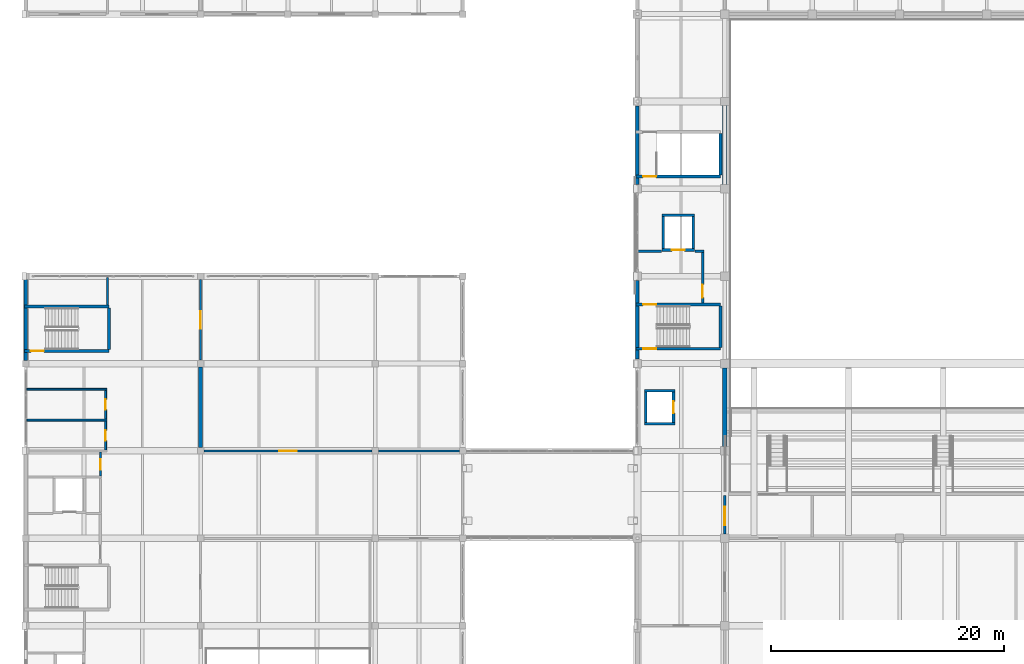
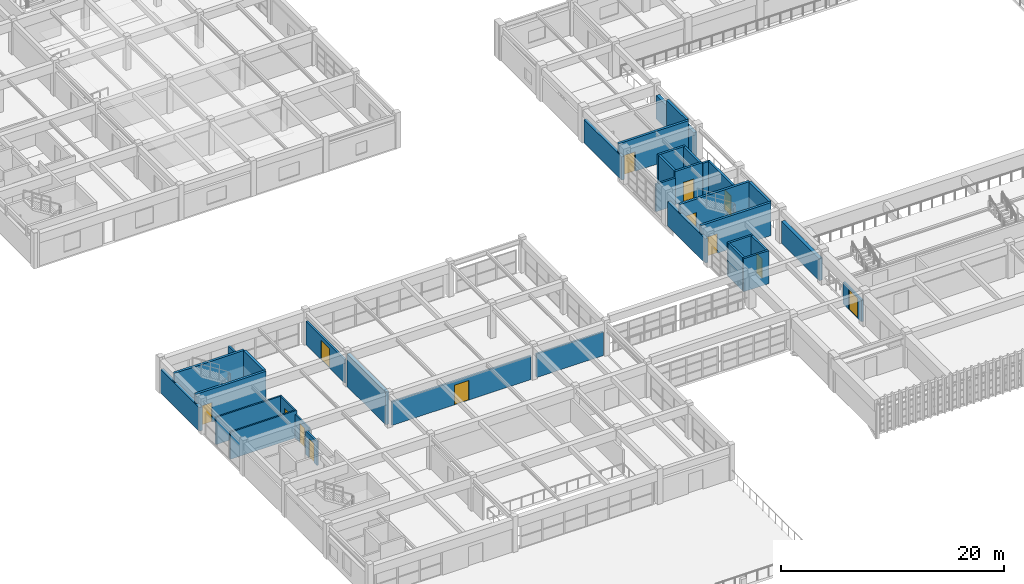
# One storey, part 77 of 101: 35 walls, 13 doors, 13 openings.
"""IFC4 building model written with IfcOpenShell, lengths in metres."""

from ifc_helpers import new_model, si_unit, direction, frame, frame_2d, origin, place, context, subcontext, project, spatial, rectangle, extrude, material, layer, layer_set, type_object, element, fill, save


model = new_model("IFC4")

# Units and contexts
model_context = context("Model", 3, precision=1e-05, world=origin(), true_north=direction((0.0, 1.0)))
body_context = subcontext(model_context, "Body", "Model", "MODEL_VIEW")
ifc_project = project(units=[si_unit("LENGTHUNIT", "METRE"), si_unit("AREAUNIT", "SQUARE_METRE"), si_unit("VOLUMEUNIT", "CUBIC_METRE"), si_unit("PLANEANGLEUNIT", "RADIAN"), si_unit("MASSUNIT", "GRAM", prefix="KILO")], contexts=[model_context])

# Site, building, storey
site_placement = place(None, origin())
site = spatial("IfcSite", under=ifc_project, at=site_placement, CompositionType="ELEMENT")
building_placement = place(site_placement, origin())
building = spatial("IfcBuilding", under=site, at=building_placement, Name="Qasida Concert Hall", CompositionType="ELEMENT")
storey_placement = place(building_placement, frame((0.0, 0.0, 13.199951171875)))
storey = spatial("IfcBuildingStorey", under=building, at=storey_placement, Name="L03", CompositionType="ELEMENT", Elevation=13.199951171875)

# Walls
ifc_material_1 = material(Name="Concrete C40/50", Category="concrete")
ifc_layer_1 = layer(ifc_material_1, 0.219970703125, Name="Concrete C40/50")
ifc_layer_set_1 = layer_set([ifc_layer_1], Name="Concrete C40/50")
wall_type_1 = type_object("IfcWallType", Name="WL-CW-220", PredefinedType="SOLIDWALL", material=ifc_layer_set_1)
for number, where, z_axis, x_axis, name in (
    (1, (53.090087890625, 39.85009765625, 0.0), (0.0, 0.0, 1.0), (1.0, 0.0, 0.0), "L03 LF-01 lift shaft wall S"),
    (2, (53.090087890625, 42.64990234375, 0.0), (0.0, 0.0, 1.0), (1.0, 0.0, 0.0), "L03 LF-01 lift shaft wall N"),
):
    element("IfcWall", number, at=place(storey_placement, frame(where, z_axis=z_axis, x_axis=x_axis)), inside=storey, type_object=wall_type_1, Name=name, PredefinedType="SOLIDWALL", context=body_context, shape_type="SweptSolid", body=[
        extrude(rectangle(XDim=2.619873046875, YDim=0.219970703125, at=frame_2d((1.31005859375, 0.0))), origin(), (0.0, 0.0, 1.0), 3.6201171875),
    ])
wall_1_placement = place(storey_placement, frame((53.199951171875, 39.9599609375, 0.0), z_axis=(0.0, 0.0, 1.0), x_axis=(0.0, 1.0, 0.0)))
element("IfcWall", 3, at=wall_1_placement, inside=storey, type_object=wall_type_1, Name="L03 LF-01 lift shaft wall W", PredefinedType="SOLIDWALL", context=body_context, shape_type="SweptSolid", body=[
    extrude(rectangle(XDim=2.580078125, YDim=0.219970703125, at=frame_2d((1.2900390625, 0.0))), origin(), (0.0, 0.0, 1.0), 3.6201171875),
])

# Wall, opening, door
wall_2_placement = place(storey_placement, frame((55.60009765625, 39.9599609375, 0.0), z_axis=(0.0, 0.0, 1.0), x_axis=(0.0, 1.0, 0.0)))
wall_2 = element("IfcWall", 4, at=wall_2_placement, inside=storey, type_object=wall_type_1, Name="L03 LF-01 lift shaft wall E", PredefinedType="SOLIDWALL", context=body_context, shape_type="SweptSolid", body=[
    extrude(rectangle(XDim=2.580078125, YDim=0.219970703125, at=frame_2d((1.2900390625, 0.0))), origin(), (0.0, 0.0, 1.0), 3.6201171875),
])
opening_1_placement = place(wall_2_placement, frame((0.7900390625, 0.0, 0.0)))
opening_1 = element("IfcOpeningElement", 5, at=opening_1_placement, cuts=wall_2, Name="Opening LD-100", PredefinedType="OPENING", context=body_context, shape_type="SweptSolid", body=[
    extrude(rectangle(XDim=1.0, YDim=2.14990234375, at=frame_2d((0.5, 1.074951171875))), frame((0.0, 0.119873046875, 0.0), z_axis=(0.0, -1.0, 0.0), x_axis=(1.0, 0.0, 0.0)), (0.0, 0.0, 1.0), 0.239990234375),
])
ifc_material_2 = material(Name="Brushed bronze passenger lift landing door", Category="steel")
door_type_1 = type_object("IfcDoorType", Name="LD-100", OperationType="SLIDING_TO_LEFT", PredefinedType="DOOR", material=ifc_material_2)
door_1_placement = place(opening_1_placement, origin())
door_1 = element("IfcDoor", 6, at=door_1_placement, inside=storey, type_object=door_type_1, Name="Lift landing door LF-01 L03", OperationType="SLIDING_TO_LEFT", OverallHeight=2.14990234375, OverallWidth=1.0, PredefinedType="DOOR", context=body_context, shape_type="SweptSolid", body=[
    extrude(rectangle(XDim=1.0, YDim=2.14990234375, at=frame_2d((0.5, 1.074951171875))), frame((0.0, 0.02490234375, 0.0), z_axis=(0.0, -1.0, 0.0), x_axis=(1.0, 0.0, 0.0)), (0.0, 0.0, 1.0), 0.050048828125),
])
fill(opening_1, door_1)

wall_3_placement = place(storey_placement, frame((54.590087890625, 54.75, 0.0), z_axis=(0.0, 0.0, 1.0), x_axis=(1.0, 0.0, 0.0)))
wall_3 = element("IfcWall", 7, at=wall_3_placement, inside=storey, type_object=wall_type_1, Name="L03 LF-03 lift shaft wall S", PredefinedType="SOLIDWALL", context=body_context, shape_type="SweptSolid", body=[
    extrude(rectangle(XDim=2.81982421875, YDim=0.219970703125, at=frame_2d((1.409912109375, 0.0))), origin(), (0.0, 0.0, 1.0), 3.6201171875),
])
opening_2_placement = place(wall_3_placement, frame((0.860107421875, 0.0, 0.0)))
opening_2 = element("IfcOpeningElement", 8, at=opening_2_placement, cuts=wall_3, Name="Opening LD-110", PredefinedType="OPENING", context=body_context, shape_type="SweptSolid", body=[
    extrude(rectangle(XDim=1.10009765625, YDim=2.14990234375, at=frame_2d((0.550048828125, 1.074951171875))), frame((0.0, 0.119873046875, 0.0), z_axis=(0.0, -1.0, 0.0), x_axis=(1.0, 0.0, 0.0)), (0.0, 0.0, 1.0), 0.239990234375),
])
ifc_material_3 = material(Name="Firefighting lift sliding landing door", Category="steel")
door_type_2 = type_object("IfcDoorType", Name="LD-110", OperationType="SLIDING_TO_LEFT", PredefinedType="DOOR", material=ifc_material_3)
door_2_placement = place(opening_2_placement, origin())
door_2 = element("IfcDoor", 9, at=door_2_placement, inside=storey, type_object=door_type_2, Name="Lift landing door LF-03 L03", OperationType="SLIDING_TO_LEFT", OverallHeight=2.14990234375, OverallWidth=1.10009765625, PredefinedType="DOOR", context=body_context, shape_type="SweptSolid", body=[
    extrude(rectangle(XDim=1.10009765625, YDim=2.14990234375, at=frame_2d((0.550048828125, 1.074951171875))), frame((0.0, 0.02490234375, 0.0), z_axis=(0.0, -1.0, 0.0), x_axis=(1.0, 0.0, 0.0)), (0.0, 0.0, 1.0), 0.050048828125),
])
fill(opening_2, door_2)

# Walls
wall_4_placement = place(storey_placement, frame((54.590087890625, 57.75, 0.0), z_axis=(0.0, 0.0, 1.0), x_axis=(1.0, 0.0, 0.0)))
element("IfcWall", 10, at=wall_4_placement, inside=storey, type_object=wall_type_1, Name="L03 LF-03 lift shaft wall N", PredefinedType="SOLIDWALL", context=body_context, shape_type="SweptSolid", body=[
    extrude(rectangle(XDim=2.81982421875, YDim=0.219970703125, at=frame_2d((1.409912109375, 0.0))), origin(), (0.0, 0.0, 1.0), 3.6201171875),
])
for number, where, z_axis, x_axis, name in (
    (11, (54.699951171875, 54.860107421875, 0.0), (0.0, 0.0, 1.0), (0.0, 1.0, 0.0), "L03 LF-03 lift shaft wall W"),
    (12, (57.300048828125, 54.860107421875, 0.0), (0.0, 0.0, 1.0), (0.0, 1.0, 0.0), "L03 LF-03 lift shaft wall E"),
):
    element("IfcWall", number, at=place(storey_placement, frame(where, z_axis=z_axis, x_axis=x_axis)), inside=storey, type_object=wall_type_1, Name=name, PredefinedType="SOLIDWALL", context=body_context, shape_type="SweptSolid", body=[
        extrude(rectangle(XDim=2.77978515625, YDim=0.219970703125, at=frame_2d((1.389892578125, 0.0))), origin(), (0.0, 0.0, 1.0), 3.6201171875),
    ])

# Wall, opening, door
wall_5_placement = place(storey_placement, frame((58.10009765625, 50.219970703125, 0.0), z_axis=(0.0, 0.0, 1.0), x_axis=(0.0, 1.0, 0.0)))
wall_5 = element("IfcWall", 13, at=wall_5_placement, inside=storey, type_object=wall_type_1, Name="L03 LF-03 firefighting lobby wall", PredefinedType="SOLIDWALL", context=body_context, shape_type="SweptSolid", body=[
    extrude(rectangle(XDim=4.409912109375, YDim=0.219970703125, at=frame_2d((2.205078125, 0.0))), origin(), (0.0, 0.0, 1.0), 3.6201171875),
])
opening_3_placement = place(wall_5_placement, frame((0.449951171875, 0.0, 0.0)))
opening_3 = element("IfcOpeningElement", 14, at=opening_3_placement, cuts=wall_5, Name="Opening FD-110", PredefinedType="OPENING", context=body_context, shape_type="SweptSolid", body=[
    extrude(rectangle(XDim=1.10009765625, YDim=2.14990234375, at=frame_2d((0.550048828125, 1.074951171875))), frame((0.0, 0.119873046875, 0.0), z_axis=(0.0, -1.0, 0.0), x_axis=(1.0, 0.0, 0.0)), (0.0, 0.0, 1.0), 0.239990234375),
])
ifc_material_4 = material(Name="Steel fire-rated stair/lobby door set", Category="steel")
door_type_3 = type_object("IfcDoorType", Name="FD-110", OperationType="NOTDEFINED", PredefinedType="DOOR", material=ifc_material_4)
door_3_placement = place(opening_3_placement, origin())
door_3 = element("IfcDoor", 15, at=door_3_placement, inside=storey, type_object=door_type_3, Name="L03 LF-03 firefighting lobby fire door", OperationType="SINGLE_SWING_LEFT", OverallHeight=2.14990234375, OverallWidth=1.10009765625, PredefinedType="DOOR", context=body_context, shape_type="SweptSolid", body=[
    extrude(rectangle(XDim=1.10009765625, YDim=2.14990234375, at=frame_2d((0.550048828125, 1.074951171875))), frame((0.0, 0.02490234375, 0.0), z_axis=(0.0, -1.0, 0.0), x_axis=(1.0, 0.0, 0.0)), (0.0, 0.0, 1.0), 0.050048828125),
])
fill(opening_3, door_3)

ifc_layer_2 = layer(ifc_material_1, 0.25, Name="Concrete C40/50")
ifc_layer_set_2 = layer_set([ifc_layer_2], Name="Concrete C40/50")
wall_type_2 = type_object("IfcWallType", Name="WL-CW-250", PredefinedType="SOLIDWALL", material=ifc_layer_set_2)
wall_6_placement = place(storey_placement, frame((52.3798828125, 46.27490234375, 0.0), z_axis=(0.0, 0.0, 1.0), x_axis=(1.0, 0.0, 0.0)))
wall_6 = element("IfcWall", 16, at=wall_6_placement, inside=storey, type_object=wall_type_2, Name="L03 ST-01 stairwell wall S", PredefinedType="SOLIDWALL", context=body_context, shape_type="SweptSolid", body=[
    extrude(rectangle(XDim=7.260009765625, YDim=0.25, at=frame_2d((3.6298828125, 0.0))), origin(), (0.0, 0.0, 1.0), 3.6201171875),
])
opening_4_placement = place(wall_6_placement, frame((0.6201171875, 0.0, 0.0)))
opening_4 = element("IfcOpeningElement", 17, at=opening_4_placement, cuts=wall_6, Name="Opening FD-110", PredefinedType="OPENING", context=body_context, shape_type="SweptSolid", body=[
    extrude(rectangle(XDim=1.10009765625, YDim=2.14990234375, at=frame_2d((0.550048828125, 1.074951171875))), frame((0.0, 0.135009765625, 0.0), z_axis=(0.0, -1.0, 0.0), x_axis=(1.0, 0.0, 0.0)), (0.0, 0.0, 1.0), 0.27001953125),
])
door_4_placement = place(opening_4_placement, origin())
door_4 = element("IfcDoor", 18, at=door_4_placement, inside=storey, type_object=door_type_3, Name="L03 ST-01 rated stair door", OperationType="SINGLE_SWING_LEFT", OverallHeight=2.14990234375, OverallWidth=1.10009765625, PredefinedType="DOOR", context=body_context, shape_type="SweptSolid", body=[
    extrude(rectangle(XDim=1.10009765625, YDim=2.14990234375, at=frame_2d((0.550048828125, 1.074951171875))), frame((0.0, 0.02490234375, 0.0), z_axis=(0.0, -1.0, 0.0), x_axis=(1.0, 0.0, 0.0)), (0.0, 0.0, 1.0), 0.050048828125),
])
fill(opening_4, door_4)

wall_7_placement = place(storey_placement, frame((52.3798828125, 50.0849609375, 0.0), z_axis=(0.0, 0.0, 1.0), x_axis=(1.0, 0.0, 0.0)))
wall_7 = element("IfcWall", 19, at=wall_7_placement, inside=storey, type_object=wall_type_2, Name="L03 ST-01 stairwell wall N", PredefinedType="SOLIDWALL", context=body_context, shape_type="SweptSolid", body=[
    extrude(rectangle(XDim=7.260009765625, YDim=0.25, at=frame_2d((3.6298828125, 0.0))), origin(), (0.0, 0.0, 1.0), 3.6201171875),
])
opening_5_placement = place(wall_7_placement, frame((0.6201171875, 0.0, 0.0)))
opening_5 = element("IfcOpeningElement", 20, at=opening_5_placement, cuts=wall_7, Name="Opening FD-110", PredefinedType="OPENING", context=body_context, shape_type="SweptSolid", body=[
    extrude(rectangle(XDim=1.10009765625, YDim=2.14990234375, at=frame_2d((0.550048828125, 1.074951171875))), frame((0.0, 0.135009765625, 0.0), z_axis=(0.0, -1.0, 0.0), x_axis=(1.0, 0.0, 0.0)), (0.0, 0.0, 1.0), 0.27001953125),
])
door_5_placement = place(opening_5_placement, frame((1.10009765625, 0.0, 0.0), z_axis=(0.0, 0.0, 1.0), x_axis=(-1.0, 0.0, 0.0)))
door_5 = element("IfcDoor", 21, at=door_5_placement, inside=storey, type_object=door_type_3, Name="L03 ST-01 rated stair door", OperationType="SINGLE_SWING_RIGHT", OverallHeight=2.14990234375, OverallWidth=1.10009765625, PredefinedType="DOOR", context=body_context, shape_type="SweptSolid", body=[
    extrude(rectangle(XDim=1.10009765625, YDim=2.14990234375, at=frame_2d((0.550048828125, 1.074951171875))), frame((0.0, 0.02490234375, 0.0), z_axis=(0.0, -1.0, 0.0), x_axis=(1.0, 0.0, 0.0)), (0.0, 0.0, 1.0), 0.050048828125),
])
fill(opening_5, door_5)

# Wall
wall_8_placement = place(storey_placement, frame((59.64501953125, 46.39990234375, 0.0), z_axis=(0.0, 0.0, 1.0), x_axis=(0.0, 1.0, 0.0)))
element("IfcWall", 22, at=wall_8_placement, inside=storey, type_object=wall_type_2, Name="L03 ST-01 stairwell wall E", PredefinedType="SOLIDWALL", context=body_context, shape_type="SweptSolid", body=[
    extrude(rectangle(XDim=3.56005859375, YDim=0.25, at=frame_2d((1.780029296875, 0.0))), origin(), (0.0, 0.0, 1.0), 3.6201171875),
])

# Wall, opening, door
wall_9_placement = place(storey_placement, frame((-0.1201171875, 46.074951171875, 0.0), z_axis=(0.0, 0.0, 1.0), x_axis=(1.0, 0.0, 0.0)))
wall_9 = element("IfcWall", 23, at=wall_9_placement, inside=storey, type_object=wall_type_2, Name="L03 ST-04 stairwell wall S", PredefinedType="SOLIDWALL", context=body_context, shape_type="SweptSolid", body=[
    extrude(rectangle(XDim=7.260009765625, YDim=0.25, at=frame_2d((3.6298828125, 0.0))), origin(), (0.0, 0.0, 1.0), 3.6201171875),
])
opening_6_placement = place(wall_9_placement, frame((0.56005859375, 0.0, 0.0)))
opening_6 = element("IfcOpeningElement", 24, at=opening_6_placement, cuts=wall_9, Name="Opening FD-110", PredefinedType="OPENING", context=body_context, shape_type="SweptSolid", body=[
    extrude(rectangle(XDim=1.10009765625, YDim=2.14990234375, at=frame_2d((0.550048828125, 1.074951171875))), frame((0.0, 0.135009765625, 0.0), z_axis=(0.0, -1.0, 0.0), x_axis=(1.0, 0.0, 0.0)), (0.0, 0.0, 1.0), 0.27001953125),
])
door_6_placement = place(opening_6_placement, origin())
door_6 = element("IfcDoor", 25, at=door_6_placement, inside=storey, type_object=door_type_3, Name="L03 ST-04 rated stair door", OperationType="SINGLE_SWING_LEFT", OverallHeight=2.14990234375, OverallWidth=1.10009765625, PredefinedType="DOOR", context=body_context, shape_type="SweptSolid", body=[
    extrude(rectangle(XDim=1.10009765625, YDim=2.14990234375, at=frame_2d((0.550048828125, 1.074951171875))), frame((0.0, 0.02490234375, 0.0), z_axis=(0.0, -1.0, 0.0), x_axis=(1.0, 0.0, 0.0)), (0.0, 0.0, 1.0), 0.050048828125),
])
fill(opening_6, door_6)

# Walls
wall_10_placement = place(storey_placement, frame((-0.1201171875, 49.885009765625, 0.0), z_axis=(0.0, 0.0, 1.0), x_axis=(1.0, 0.0, 0.0)))
element("IfcWall", 26, at=wall_10_placement, inside=storey, type_object=wall_type_2, Name="L03 ST-04 stairwell wall N", PredefinedType="SOLIDWALL", context=body_context, shape_type="SweptSolid", body=[
    extrude(rectangle(XDim=7.260009765625, YDim=0.25, at=frame_2d((3.6298828125, 0.0))), origin(), (0.0, 0.0, 1.0), 3.6201171875),
])
wall_11_placement = place(storey_placement, frame((7.14501953125, 46.199951171875, 0.0), z_axis=(0.0, 0.0, 1.0), x_axis=(0.0, 1.0, 0.0)))
element("IfcWall", 27, at=wall_11_placement, inside=storey, type_object=wall_type_2, Name="L03 ST-04 stairwell wall E", PredefinedType="SOLIDWALL", context=body_context, shape_type="SweptSolid", body=[
    extrude(rectangle(XDim=3.56005859375, YDim=0.25, at=frame_2d((1.780029296875, 0.0))), origin(), (0.0, 0.0, 1.0), 3.6201171875),
])

# Wall, opening, door
wall_12_placement = place(storey_placement, frame((52.3798828125, 61.074951171875, 0.0), z_axis=(0.0, 0.0, 1.0), x_axis=(1.0, 0.0, 0.0)))
wall_12 = element("IfcWall", 28, at=wall_12_placement, inside=storey, type_object=wall_type_2, Name="L03 ST-11 stairwell wall S", PredefinedType="SOLIDWALL", context=body_context, shape_type="SweptSolid", body=[
    extrude(rectangle(XDim=7.260009765625, YDim=0.25, at=frame_2d((3.6298828125, 0.0))), origin(), (0.0, 0.0, 1.0), 3.6201171875),
])
opening_7_placement = place(wall_12_placement, frame((0.6201171875, 0.0, 0.0)))
opening_7 = element("IfcOpeningElement", 29, at=opening_7_placement, cuts=wall_12, Name="Opening FD-110", PredefinedType="OPENING", context=body_context, shape_type="SweptSolid", body=[
    extrude(rectangle(XDim=1.10009765625, YDim=2.14990234375, at=frame_2d((0.550048828125, 1.074951171875))), frame((0.0, 0.135009765625, 0.0), z_axis=(0.0, -1.0, 0.0), x_axis=(1.0, 0.0, 0.0)), (0.0, 0.0, 1.0), 0.27001953125),
])
door_7_placement = place(opening_7_placement, origin())
door_7 = element("IfcDoor", 30, at=door_7_placement, inside=storey, type_object=door_type_3, Name="L03 ST-11 rated stair door", OperationType="SINGLE_SWING_LEFT", OverallHeight=2.14990234375, OverallWidth=1.10009765625, PredefinedType="DOOR", context=body_context, shape_type="SweptSolid", body=[
    extrude(rectangle(XDim=1.10009765625, YDim=2.14990234375, at=frame_2d((0.550048828125, 1.074951171875))), frame((0.0, 0.02490234375, 0.0), z_axis=(0.0, -1.0, 0.0), x_axis=(1.0, 0.0, 0.0)), (0.0, 0.0, 1.0), 0.050048828125),
])
fill(opening_7, door_7)

# Walls
wall_13_placement = place(storey_placement, frame((59.64501953125, 61.199951171875, 0.0), z_axis=(0.0, 0.0, 1.0), x_axis=(0.0, 1.0, 0.0)))
element("IfcWall", 31, at=wall_13_placement, inside=storey, type_object=wall_type_2, Name="L03 ST-11 stairwell wall E", PredefinedType="SOLIDWALL", context=body_context, shape_type="SweptSolid", body=[
    extrude(rectangle(XDim=3.56005859375, YDim=0.25, at=frame_2d((1.780029296875, 0.0))), origin(), (0.0, 0.0, 1.0), 3.6201171875),
])
ifc_material_5 = material(Name="Precast concrete C40/50", Category="concrete")
ifc_layer_3 = layer(ifc_material_5, 0.300048828125, Name="Precast concrete C40/50")
ifc_layer_set_3 = layer_set([ifc_layer_3], Name="Precast concrete C40/50")
wall_type_3 = type_object("IfcWallType", Name="WL-EW-300", PredefinedType="SOLIDWALL", material=ifc_layer_set_3)
wall_14_placement = place(storey_placement, frame((52.5, 45.375, 0.0), z_axis=(0.0, 0.0, 1.0), x_axis=(0.0, 1.0, 0.0)))
element("IfcWall", 32, at=wall_14_placement, inside=storey, type_object=wall_type_3, Name="L03 exterior wall EW-300 0064", PredefinedType="SOLIDWALL", context=body_context, shape_type="SweptSolid", body=[
    extrude(rectangle(XDim=6.75, YDim=0.300048828125, at=frame_2d((3.375, 0.0))), origin(), (0.0, 0.0, 1.0), 2.64013671875),
])
wall_15_placement = place(storey_placement, frame((52.5, 60.375, 0.0), z_axis=(0.0, 0.0, 1.0), x_axis=(0.0, 1.0, 0.0)))
element("IfcWall", 33, at=wall_15_placement, inside=storey, type_object=wall_type_3, Name="L03 exterior wall EW-300 0066", PredefinedType="SOLIDWALL", context=body_context, shape_type="SweptSolid", body=[
    extrude(rectangle(XDim=6.75, YDim=0.300048828125, at=frame_2d((3.375, 0.0))), origin(), (0.0, 0.0, 1.0), 2.5400390625),
])
ifc_layer_4 = layer(ifc_material_5, 0.320068359375, Name="Precast concrete C40/50")
ifc_layer_set_4 = layer_set([ifc_layer_4], Name="Precast concrete C40/50")
wall_type_4 = type_object("IfcWallType", Name="WL-EW-320", PredefinedType="SOLIDWALL", material=ifc_layer_set_4)
wall_16_placement = place(storey_placement, frame((0.0, 45.284912109375, 0.0), z_axis=(0.0, 0.0, 1.0), x_axis=(0.0, 1.0, 0.0)))
element("IfcWall", 34, at=wall_16_placement, inside=storey, type_object=wall_type_4, Name="L03 exterior wall EW-320 0138", PredefinedType="SOLIDWALL", context=body_context, shape_type="SweptSolid", body=[
    extrude(rectangle(XDim=6.93017578125, YDim=0.320068359375, at=frame_2d((3.465087890625, 0.0))), origin(), (0.0, 0.0, 1.0), 2.590087890625),
])
ifc_material_6 = material(Name="Moisture-resistant gypsum partition", Category="gypsum")
ifc_layer_5 = layer(ifc_material_6, 0.159912109375, Name="Moisture-resistant gypsum partition")
ifc_layer_set_5 = layer_set([ifc_layer_5], Name="Moisture-resistant gypsum partition")
wall_type_5 = type_object("IfcWallType", Name="WL-PW-160", PredefinedType="PARTITIONING", material=ifc_layer_set_5)
for number, where, z_axis, x_axis, name in (
    (35, (0.092041015625, 40.14990234375, 0.0), (0.0, 0.0, 1.0), (1.0, 0.0, 0.0), "L03 partition PW-160 0150"),
    (36, (0.092041015625, 42.800048828125, 0.0), (0.0, 0.0, 1.0), (1.0, 0.0, 0.0), "L03 partition PW-160 0151"),
):
    element("IfcWall", number, at=place(storey_placement, frame(where, z_axis=z_axis, x_axis=x_axis)), inside=storey, type_object=wall_type_5, Name=name, PredefinedType="PARTITIONING", context=body_context, shape_type="SweptSolid", body=[
        extrude(rectangle(XDim=6.85791015625, YDim=0.159912109375, at=frame_2d((3.428955078125, 0.0))), origin(), (0.0, 0.0, 1.0), 2.969970703125),
    ])

# Wall, opening, door
wall_17_placement = place(storey_placement, frame((6.85009765625, 37.593994140625, 0.0), z_axis=(0.0, 0.0, 1.0), x_axis=(0.0, 1.0, 0.0)))
wall_17 = element("IfcWall", 37, at=wall_17_placement, inside=storey, type_object=wall_type_5, Name="L03 partition PW-160 0152", PredefinedType="PARTITIONING", context=body_context, shape_type="SweptSolid", body=[
    extrude(rectangle(XDim=2.4619140625, YDim=0.159912109375, at=frame_2d((1.23095703125, 0.0))), origin(), (0.0, 0.0, 1.0), 2.590087890625),
])
opening_8_placement = place(wall_17_placement, frame((0.77587890625, 0.0, 0.0)))
opening_8 = element("IfcOpeningElement", 38, at=opening_8_placement, cuts=wall_17, Name="Opening ID-090", PredefinedType="OPENING", context=body_context, shape_type="SweptSolid", body=[
    extrude(rectangle(XDim=0.89990234375, YDim=2.10009765625, at=frame_2d((0.449951171875, 1.050048828125))), frame((0.0, 0.08984375, 0.0), z_axis=(0.0, -1.0, 0.0), x_axis=(1.0, 0.0, 0.0)), (0.0, 0.0, 1.0), 0.179931640625),
])
ifc_material_7 = material(Name="Quarter-sawn oak flush room door", Category="wood")
door_type_4 = type_object("IfcDoorType", Name="ID-090", OperationType="NOTDEFINED", PredefinedType="DOOR", material=ifc_material_7)
door_8_placement = place(opening_8_placement, origin())
door_8 = element("IfcDoor", 39, at=door_8_placement, inside=storey, type_object=door_type_4, Name="L03 Male restroom door", OperationType="SINGLE_SWING_LEFT", OverallHeight=2.10009765625, OverallWidth=0.89990234375, PredefinedType="DOOR", context=body_context, shape_type="SweptSolid", body=[
    extrude(rectangle(XDim=0.89990234375, YDim=2.10009765625, at=frame_2d((0.449951171875, 1.050048828125))), frame((0.0, 0.02490234375, 0.0), z_axis=(0.0, -1.0, 0.0), x_axis=(1.0, 0.0, 0.0)), (0.0, 0.0, 1.0), 0.050048828125),
])
fill(opening_8, door_8)

wall_18_placement = place(storey_placement, frame((6.85009765625, 40.243896484375, 0.0), z_axis=(0.0, 0.0, 1.0), x_axis=(0.0, 1.0, 0.0)))
wall_18 = element("IfcWall", 40, at=wall_18_placement, inside=storey, type_object=wall_type_5, Name="L03 partition PW-160 0153", PredefinedType="PARTITIONING", context=body_context, shape_type="SweptSolid", body=[
    extrude(rectangle(XDim=2.462158203125, YDim=0.159912109375, at=frame_2d((1.23095703125, 0.0))), origin(), (0.0, 0.0, 1.0), 2.969970703125),
])
opening_9_placement = place(wall_18_placement, frame((0.785888671875, 0.0, 0.0)))
opening_9 = element("IfcOpeningElement", 41, at=opening_9_placement, cuts=wall_18, Name="Opening ID-090", PredefinedType="OPENING", context=body_context, shape_type="SweptSolid", body=[
    extrude(rectangle(XDim=0.89990234375, YDim=2.10009765625, at=frame_2d((0.449951171875, 1.050048828125))), frame((0.0, 0.08984375, 0.0), z_axis=(0.0, -1.0, 0.0), x_axis=(1.0, 0.0, 0.0)), (0.0, 0.0, 1.0), 0.179931640625),
])
door_9_placement = place(opening_9_placement, origin())
door_9 = element("IfcDoor", 42, at=door_9_placement, inside=storey, type_object=door_type_4, Name="L03 Female restroom door", OperationType="SINGLE_SWING_RIGHT", OverallHeight=2.10009765625, OverallWidth=0.89990234375, PredefinedType="DOOR", context=body_context, shape_type="SweptSolid", body=[
    extrude(rectangle(XDim=0.89990234375, YDim=2.10009765625, at=frame_2d((0.449951171875, 1.050048828125))), frame((0.0, 0.02490234375, 0.0), z_axis=(0.0, -1.0, 0.0), x_axis=(1.0, 0.0, 0.0)), (0.0, 0.0, 1.0), 0.050048828125),
])
fill(opening_9, door_9)

ifc_material_8 = material(Name="Acoustic metal-stud gypsum partition", Category="gypsum")
ifc_layer_6 = layer(ifc_material_8, 0.179931640625, Name="Acoustic metal-stud gypsum partition")
ifc_layer_set_6 = layer_set([ifc_layer_6], Name="Acoustic metal-stud gypsum partition")
wall_type_6 = type_object("IfcWallType", Name="WL-PW-180", PredefinedType="PARTITIONING", material=ifc_layer_set_6)
wall_19_placement = place(storey_placement, frame((6.39990234375, 35.35400390625, 0.0), z_axis=(0.0, 0.0, 1.0), x_axis=(0.0, 1.0, 0.0)))
wall_19 = element("IfcWall", 43, at=wall_19_placement, inside=storey, type_object=wall_type_6, Name="L03 partition PW-180 0148", PredefinedType="PARTITIONING", context=body_context, shape_type="SweptSolid", body=[
    extrude(rectangle(XDim=2.052001953125, YDim=0.179931640625, at=frame_2d((1.02587890625, 0.0))), origin(), (0.0, 0.0, 1.0), 2.590087890625),
])
opening_10_placement = place(wall_19_placement, frame((0.5458984375, 0.0, 0.0)))
opening_10 = element("IfcOpeningElement", 44, at=opening_10_placement, cuts=wall_19, Name="Opening ID-090", PredefinedType="OPENING", context=body_context, shape_type="SweptSolid", body=[
    extrude(rectangle(XDim=0.89990234375, YDim=2.10009765625, at=frame_2d((0.449951171875, 1.050048828125))), frame((0.0, 0.099853515625, 0.0), z_axis=(0.0, -1.0, 0.0), x_axis=(1.0, 0.0, 0.0)), (0.0, 0.0, 1.0), 0.199951171875),
])
door_10_placement = place(opening_10_placement, origin())
door_10 = element("IfcDoor", 45, at=door_10_placement, inside=storey, type_object=door_type_4, Name="L03 Custodial service room door", OperationType="SINGLE_SWING_RIGHT", OverallHeight=2.10009765625, OverallWidth=0.89990234375, PredefinedType="DOOR", context=body_context, shape_type="SweptSolid", body=[
    extrude(rectangle(XDim=0.89990234375, YDim=2.10009765625, at=frame_2d((0.449951171875, 1.050048828125))), frame((0.0, 0.02490234375, 0.0), z_axis=(0.0, -1.0, 0.0), x_axis=(1.0, 0.0, 0.0)), (0.0, 0.0, 1.0), 0.050048828125),
])
fill(opening_10, door_10)

# Wall
wall_20_placement = place(storey_placement, frame((7.02001953125, 50.02392578125, 0.0), z_axis=(0.0, 0.0, 1.0), x_axis=(0.0, 1.0, 0.0)))
element("IfcWall", 46, at=wall_20_placement, inside=storey, type_object=wall_type_6, Name="L03 partition PW-180 0149", PredefinedType="PARTITIONING", context=body_context, shape_type="SweptSolid", body=[
    extrude(rectangle(XDim=2.384033203125, YDim=0.179931640625, at=frame_2d((1.19189453125, 0.0))), origin(), (0.0, 0.0, 1.0), 2.590087890625),
])

# Wall, opening, door
wall_21_placement = place(storey_placement, frame((15.2890625, 37.5, 0.0), z_axis=(0.0, 0.0, 1.0), x_axis=(1.0, 0.0, 0.0)))
wall_21 = element("IfcWall", 47, at=wall_21_placement, inside=storey, type_object=wall_type_6, Name="L03 partition PW-180 0216", PredefinedType="PARTITIONING", context=body_context, shape_type="SweptSolid", body=[
    extrude(rectangle(XDim=14.421875, YDim=0.179931640625, at=frame_2d((7.2109375, 0.0))), origin(), (0.0, 0.0, 1.0), 2.590087890625),
])
opening_11_placement = place(wall_21_placement, frame((6.4609375, 0.0, 0.0)))
opening_11 = element("IfcOpeningElement", 48, at=opening_11_placement, cuts=wall_21, Name="Opening ID-150", PredefinedType="OPENING", context=body_context, shape_type="SweptSolid", body=[
    extrude(rectangle(XDim=1.5, YDim=2.159912109375, at=frame_2d((0.75, 1.080078125))), frame((0.0, 0.099853515625, 0.0), z_axis=(0.0, -1.0, 0.0), x_axis=(1.0, 0.0, 0.0)), (0.0, 0.0, 1.0), 0.199951171875),
])
ifc_material_9 = material(Name="Bronze-framed glazed foyer door", Category="aluminium")
door_type_5 = type_object("IfcDoorType", Name="ID-150", OperationType="NOTDEFINED", PredefinedType="DOOR", material=ifc_material_9)
door_11_placement = place(opening_11_placement, origin())
door_11 = element("IfcDoor", 49, at=door_11_placement, inside=storey, type_object=door_type_5, Name="L03 Patron salon south door", OperationType="SINGLE_SWING_LEFT", OverallHeight=2.159912109375, OverallWidth=1.5, PredefinedType="DOOR", context=body_context, shape_type="SweptSolid", body=[
    extrude(rectangle(XDim=1.5, YDim=2.159912109375, at=frame_2d((0.75, 1.080078125))), frame((0.0, 0.02490234375, 0.0), z_axis=(0.0, -1.0, 0.0), x_axis=(1.0, 0.0, 0.0)), (0.0, 0.0, 1.0), 0.050048828125),
])
fill(opening_11, door_11)

# Wall
wall_22_placement = place(storey_placement, frame((30.2890625, 37.5, 0.0), z_axis=(0.0, 0.0, 1.0), x_axis=(1.0, 0.0, 0.0)))
element("IfcWall", 50, at=wall_22_placement, inside=storey, type_object=wall_type_6, Name="L03 partition PW-180 0217", PredefinedType="PARTITIONING", context=body_context, shape_type="SweptSolid", body=[
    extrude(rectangle(XDim=6.921875, YDim=0.179931640625, at=frame_2d((3.4609375, 0.0))), origin(), (0.0, 0.0, 1.0), 2.590087890625),
])

# Wall, opening, door
wall_23_placement = place(storey_placement, frame((15.0, 45.2890625, 0.0), z_axis=(0.0, 0.0, 1.0), x_axis=(0.0, 1.0, 0.0)))
wall_23 = element("IfcWall", 51, at=wall_23_placement, inside=storey, type_object=wall_type_6, Name="L03 partition PW-180 0221", PredefinedType="PARTITIONING", context=body_context, shape_type="SweptSolid", body=[
    extrude(rectangle(XDim=6.921875, YDim=0.179931640625, at=frame_2d((3.4609375, 0.0))), origin(), (0.0, 0.0, 1.0), 2.590087890625),
])
opening_12_placement = place(wall_23_placement, frame((2.7109375, 0.0, 0.0)))
opening_12 = element("IfcOpeningElement", 52, at=opening_12_placement, cuts=wall_23, Name="Opening ID-150", PredefinedType="OPENING", context=body_context, shape_type="SweptSolid", body=[
    extrude(rectangle(XDim=1.5, YDim=2.159912109375, at=frame_2d((0.75, 1.080078125))), frame((0.0, 0.099853515625, 0.0), z_axis=(0.0, -1.0, 0.0), x_axis=(1.0, 0.0, 0.0)), (0.0, 0.0, 1.0), 0.199951171875),
])
door_12_placement = place(opening_12_placement, origin())
door_12 = element("IfcDoor", 53, at=door_12_placement, inside=storey, type_object=door_type_5, Name="L03 Patron salon north door", OperationType="SINGLE_SWING_LEFT", OverallHeight=2.159912109375, OverallWidth=1.5, PredefinedType="DOOR", context=body_context, shape_type="SweptSolid", body=[
    extrude(rectangle(XDim=1.5, YDim=2.159912109375, at=frame_2d((0.75, 1.080078125))), frame((0.0, 0.02490234375, 0.0), z_axis=(0.0, -1.0, 0.0), x_axis=(1.0, 0.0, 0.0)), (0.0, 0.0, 1.0), 0.050048828125),
])
fill(opening_12, door_12)

# Walls
ifc_material_10 = material(Name="Acoustic gypsum block and mineral wool", Category="gypsum")
ifc_layer_7 = layer(ifc_material_10, 0.199951171875, Name="Acoustic gypsum block and mineral wool")
ifc_layer_set_7 = layer_set([ifc_layer_7], Name="Acoustic gypsum block and mineral wool")
wall_type_7 = type_object("IfcWallType", Name="WL-PW-200", PredefinedType="PARTITIONING", material=ifc_layer_set_7)
wall_24_placement = place(storey_placement, frame((52.56005859375, 54.6298828125, 0.0), z_axis=(0.0, 0.0, 1.0), x_axis=(1.0, 0.0, 0.0)))
element("IfcWall", 54, at=wall_24_placement, inside=storey, type_object=wall_type_7, Name="L03 LF-03 firefighting lobby return wall", PredefinedType="PARTITIONING", context=body_context, shape_type="SweptSolid", body=[
    extrude(rectangle(XDim=2.014892578125, YDim=0.199951171875, at=frame_2d((1.00732421875, 0.0))), origin(), (0.0, 0.0, 1.0), 3.0),
])
wall_25_placement = place(storey_placement, frame((57.425048828125, 54.6298828125, 0.0), z_axis=(0.0, 0.0, 1.0), x_axis=(1.0, 0.0, 0.0)))
element("IfcWall", 55, at=wall_25_placement, inside=storey, type_object=wall_type_7, Name="L03 LF-03 firefighting lobby return wall", PredefinedType="PARTITIONING", context=body_context, shape_type="SweptSolid", body=[
    extrude(rectangle(XDim=0.784912109375, YDim=0.199951171875, at=frame_2d((0.392578125, 0.0))), origin(), (0.0, 0.0, 1.0), 3.60009765625),
])

# Wall, opening, door
wall_26_placement = place(storey_placement, frame((60.0, 30.3740234375, 0.0), z_axis=(0.0, 0.0, 1.0), x_axis=(0.0, 1.0, 0.0)))
wall_26 = element("IfcWall", 56, at=wall_26_placement, inside=storey, type_object=wall_type_7, Name="L03 partition PW-200 0490", PredefinedType="PARTITIONING", context=body_context, shape_type="SweptSolid", body=[
    extrude(rectangle(XDim=3.2919921875, YDim=0.199951171875, at=frame_2d((1.64599609375, 0.0))), origin(), (0.0, 0.0, 1.0), 2.39013671875),
])
opening_13_placement = place(wall_26_placement, frame((0.72607421875, 0.0, 0.0)))
opening_13 = element("IfcOpeningElement", 57, at=opening_13_placement, cuts=wall_26, Name="Opening AD-160", PredefinedType="OPENING", context=body_context, shape_type="SweptSolid", body=[
    extrude(rectangle(XDim=1.60009765625, YDim=2.159912109375, at=frame_2d((0.800048828125, 1.080078125))), frame((0.0, 0.10986328125, 0.0), z_axis=(0.0, -1.0, 0.0), x_axis=(1.0, 0.0, 0.0)), (0.0, 0.0, 1.0), 0.219970703125),
])
ifc_material_11 = material(Name="Double-seal Rw 50 dB rehearsal hall door", Category="wood")
door_type_6 = type_object("IfcDoorType", Name="AD-160", OperationType="NOTDEFINED", PredefinedType="DOOR", material=ifc_material_11)
door_13_placement = place(opening_13_placement, origin())
door_13 = element("IfcDoor", 58, at=door_13_placement, inside=storey, type_object=door_type_6, Name="L03 L03 west balcony vomitory door", OperationType="SINGLE_SWING_LEFT", OverallHeight=2.159912109375, OverallWidth=1.60009765625, PredefinedType="DOOR", context=body_context, shape_type="SweptSolid", body=[
    extrude(rectangle(XDim=1.60009765625, YDim=2.159912109375, at=frame_2d((0.800048828125, 1.080078125))), frame((0.0, 0.02490234375, 0.0), z_axis=(0.0, -1.0, 0.0), x_axis=(1.0, 0.0, 0.0)), (0.0, 0.0, 1.0), 0.050048828125),
])
fill(opening_13, door_13)

# Walls
ifc_layer_8 = layer(ifc_material_1, 0.320068359375, Name="Concrete C40/50")
ifc_layer_set_8 = layer_set([ifc_layer_8], Name="Concrete C40/50")
wall_type_8 = type_object("IfcWallType", Name="WL-SW-320", PredefinedType="SHEAR", material=ifc_layer_set_8)
wall_27_placement = place(storey_placement, frame((15.0, 37.77490234375, 0.0), z_axis=(0.0, 0.0, 1.0), x_axis=(0.0, 1.0, 0.0)))
element("IfcWall", 59, at=wall_27_placement, inside=storey, type_object=wall_type_8, Name="L03 V3 foyer shear wall 0033", PredefinedType="SHEAR", context=body_context, shape_type="SweptSolid", body=[
    extrude(rectangle(XDim=6.9501953125, YDim=0.320068359375, at=frame_2d((3.47509765625, 0.0))), origin(), (0.0, 0.0, 1.0), 3.60009765625),
])
ifc_layer_9 = layer(ifc_material_1, 0.35009765625, Name="Concrete C40/50")
ifc_layer_set_9 = layer_set([ifc_layer_9], Name="Concrete C40/50")
wall_type_9 = type_object("IfcWallType", Name="WL-SW-350", PredefinedType="SHEAR", material=ifc_layer_set_9)
wall_28_placement = place(storey_placement, frame((60.0, 37.860107421875, 0.0), z_axis=(0.0, 0.0, 1.0), x_axis=(0.0, 1.0, 0.0)))
element("IfcWall", 60, at=wall_28_placement, inside=storey, type_object=wall_type_9, Name="L03 acoustic box shear wall 0029", PredefinedType="SHEAR", context=body_context, shape_type="SweptSolid", body=[
    extrude(rectangle(XDim=6.77978515625, YDim=0.35009765625, at=frame_2d((3.389892578125, 0.0))), origin(), (0.0, 0.0, 1.0), 2.420166015625),
])
wall_29_placement = place(storey_placement, frame((60.0, 60.360107421875, 0.0), z_axis=(0.0, 0.0, 1.0), x_axis=(0.0, 1.0, 0.0)))
element("IfcWall", 61, at=wall_29_placement, inside=storey, type_object=wall_type_9, Name="L03 acoustic box shear wall 0030", PredefinedType="SHEAR", context=body_context, shape_type="SweptSolid", body=[
    extrude(rectangle(XDim=6.77978515625, YDim=0.35009765625, at=frame_2d((3.389892578125, 0.0))), origin(), (0.0, 0.0, 1.0), 2.570068359375),
])

save(model, "model.ifc")
